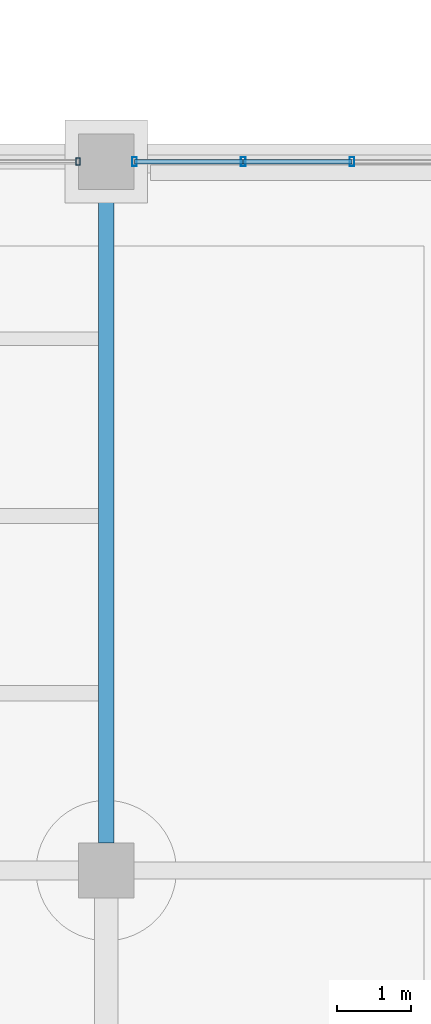
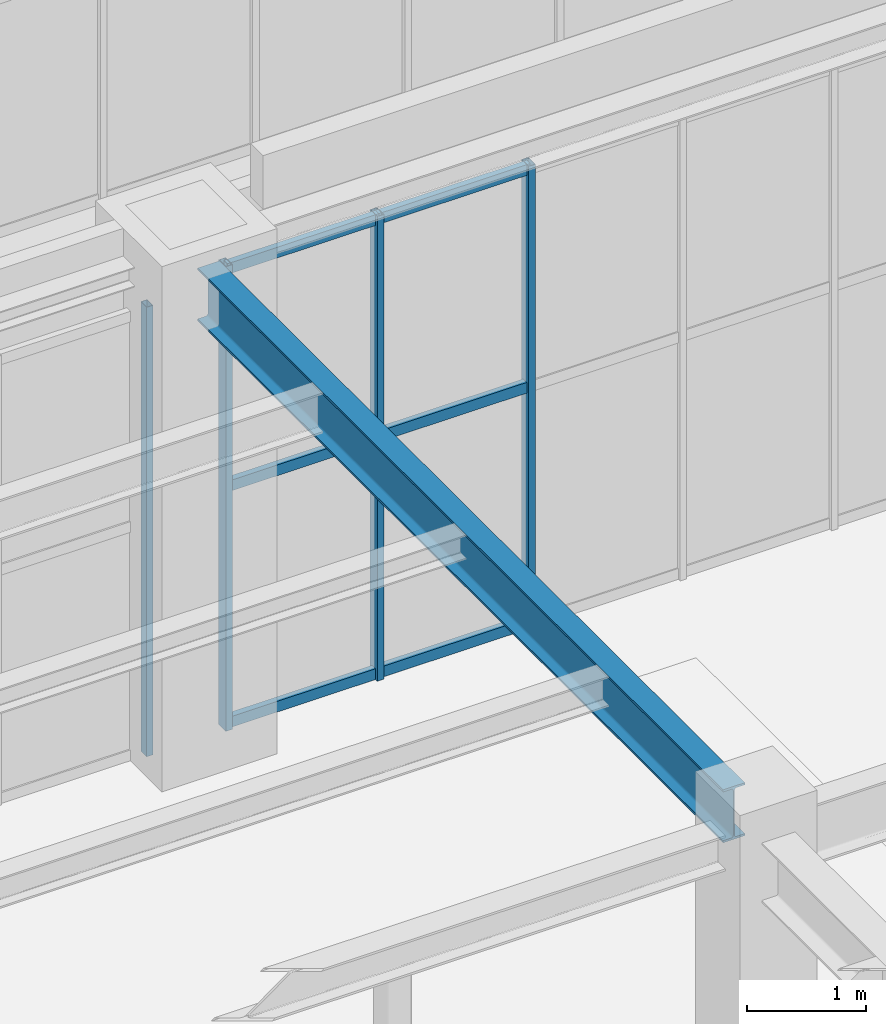
# One storey, part 93 of 164: 10 members, 1 beam, 2 elements without a shape of their own.
"""IFC4 building model written with IfcOpenShell, lengths in metres."""

from ifc_helpers import new_model, si_unit, direction, frame, origin, origin_2d, place, context, subcontext, project, spatial, hollow_rectangle, i_section, extrude, material, material_profile, profile_set, type_object, element, aggregate, save


model = new_model("IFC4")

# Units and contexts
model_context = context("Model", 3, precision=1e-05, world=origin(), true_north=direction((0.0, 1.0)))
body_context = subcontext(model_context, "Body", "Model", "MODEL_VIEW")
ifc_project = project(units=[si_unit("LENGTHUNIT", "METRE"), si_unit("AREAUNIT", "SQUARE_METRE"), si_unit("VOLUMEUNIT", "CUBIC_METRE"), si_unit("PLANEANGLEUNIT", "RADIAN"), si_unit("MASSUNIT", "GRAM", prefix="KILO")], contexts=[model_context])

# Site, building, storey
site_placement = place(None, origin())
site = spatial("IfcSite", under=ifc_project, at=site_placement, CompositionType="ELEMENT")
building_placement = place(site_placement, origin())
building = spatial("IfcBuilding", under=site, at=building_placement, Name="Mavantir Sound Aquarium", CompositionType="ELEMENT")
storey_placement = place(building_placement, origin())
storey = spatial("IfcBuildingStorey", under=building, at=storey_placement, Name="L00", CompositionType="ELEMENT", Elevation=0.0)

# Beam
ifc_material_1 = material(Name="Structural Steel ASTM A992 Gr50", Category="steel")
ifc_material_profile_1 = material_profile(ifc_material_1, i_section(OverallWidth=0.2119140625, OverallDepth=0.5439453125, WebThickness=0.01318359375, FlangeThickness=0.021240234375, FilletRadius=0.01806640625, at=origin_2d()), Name="W530X123")
ifc_profile_set_1 = profile_set([ifc_material_profile_1], Name="Structural Steel ASTM A992 Gr50")
beam_type = type_object("IfcBeamType", Name="BM-W530X123-I", PredefinedType="BEAM", material=ifc_profile_set_1)
beam_placement = place(storey_placement, frame((136.800048828125, 19.574951171875, 4.843994140625), z_axis=(0.0, 1.0, 0.0), x_axis=(-1.0, 0.0, 0.0)))
element("IfcBeam", 1, at=beam_placement, inside=storey, type_object=beam_type, Name="L00 primary girder SB-53 1097", PredefinedType="BEAM", context=body_context, shape_type="SweptSolid", body=[
    extrude(i_section(OverallWidth=0.2119140625, OverallDepth=0.5439453125, WebThickness=0.01318359375, FlangeThickness=0.021240234375, FilletRadius=0.01806640625, at=origin_2d()), origin(), (0.0, 0.0, 1.0), 8.85009765625),
])

# Curtain wall, member
ifc_material_2 = material(Name="Anodised Marine Aluminium and Low-E Glass", Category="aluminium")
curtain_wall_type_1 = type_object("IfcCurtainWallType", Name="CW-T03", PredefinedType="USERDEFINED", material=ifc_material_2)
curtain_wall_1_placement = place(storey_placement, origin())
curtain_wall_1 = element("IfcCurtainWall", 2, at=curtain_wall_1_placement, inside=storey, type_object=curtain_wall_type_1, Name="L00 unitised curtain wall CW-03 51", ObjectType="UNITISED GLAZING", PredefinedType="USERDEFINED")
ifc_material_3 = material(Name="Anodised Marine Aluminium 6063-T6", Category="aluminium")
ifc_material_profile_2 = material_profile(ifc_material_3, hollow_rectangle(XDim=0.06005859375, YDim=0.10009765625, WallThickness=0.00390625, at=origin_2d()), Name="ALU-MULLION-100X60")
ifc_profile_set_2 = profile_set([ifc_material_profile_2], Name="Anodised Marine Aluminium 6063-T6")
member_type_1 = type_object("IfcMemberType", Name="CW-MUL-100", PredefinedType="MULLION", material=ifc_profile_set_2)
member_1_placement = place(storey_placement, frame((136.4169921875, 28.800048828125, 0.0), z_axis=(0.0, 0.0, 1.0), x_axis=(1.0, 0.0, 0.0)))
member_1 = element("IfcMember", 3, at=member_1_placement, type_object=member_type_1, Name="CW-L00-051 vertical mullion 1", PredefinedType="MULLION", context=body_context, shape_type="SweptSolid", body=[
    extrude(hollow_rectangle(XDim=0.06005859375, YDim=0.10009765625, WallThickness=0.00390625, at=origin_2d()), origin(), (0.0, 0.0, 1.0), 4.62109375),
])
aggregate(curtain_wall_1, [member_1])

# Curtain wall, members
curtain_wall_type_2 = type_object("IfcCurtainWallType", Name="CW-T02", PredefinedType="USERDEFINED", material=ifc_material_2)
curtain_wall_2_placement = place(storey_placement, origin())
curtain_wall_2 = element("IfcCurtainWall", 4, at=curtain_wall_2_placement, inside=storey, type_object=curtain_wall_type_2, Name="L00 unitised curtain wall CW-02 50", ObjectType="UNITISED GLAZING", PredefinedType="USERDEFINED")
ifc_material_profile_3 = material_profile(ifc_material_3, hollow_rectangle(XDim=0.06494140625, YDim=0.1201171875, WallThickness=0.00390625, at=origin_2d()), Name="ALU-MULLION-120X65")
ifc_profile_set_3 = profile_set([ifc_material_profile_3], Name="Anodised Marine Aluminium 6063-T6")
member_type_2 = type_object("IfcMemberType", Name="CW-MUL-120", PredefinedType="MULLION", material=ifc_profile_set_3)
member_2_placement = place(storey_placement, frame((140.127685546875, 28.800048828125, 0.0), z_axis=(0.0, 0.0, 1.0), x_axis=(1.0, 0.0, 0.0)))
member_2 = element("IfcMember", 5, at=member_2_placement, type_object=member_type_2, Name="CW-L00-050 vertical mullion 5", PredefinedType="MULLION", context=body_context, shape_type="SweptSolid", body=[
    extrude(hollow_rectangle(XDim=0.06494140625, YDim=0.1201171875, WallThickness=0.00390625, at=origin_2d()), origin(), (0.0, 0.0, 1.0), 4.778076171875),
])
member_3_placement = place(storey_placement, frame((138.6552734375, 28.800048828125, 0.0), z_axis=(0.0, 0.0, 1.0), x_axis=(1.0, 0.0, 0.0)))
member_3 = element("IfcMember", 6, at=member_3_placement, type_object=member_type_2, Name="CW-L00-050 vertical mullion 6", PredefinedType="MULLION", context=body_context, shape_type="SweptSolid", body=[
    extrude(hollow_rectangle(XDim=0.06494140625, YDim=0.1201171875, WallThickness=0.00390625, at=origin_2d()), origin(), (0.0, 0.0, 1.0), 4.778076171875),
])
member_4_placement = place(storey_placement, frame((137.18310546875, 28.800048828125, 0.0), z_axis=(0.0, 0.0, 1.0), x_axis=(1.0, 0.0, 0.0)))
member_4 = element("IfcMember", 7, at=member_4_placement, type_object=member_type_2, Name="CW-L00-050 vertical mullion 7", PredefinedType="MULLION", context=body_context, shape_type="SweptSolid", body=[
    extrude(hollow_rectangle(XDim=0.06494140625, YDim=0.1201171875, WallThickness=0.00390625, at=origin_2d()), origin(), (0.0, 0.0, 1.0), 4.778076171875),
])
ifc_material_profile_4 = material_profile(ifc_material_3, hollow_rectangle(XDim=0.06005859375, YDim=0.110107421875, WallThickness=0.00390625, at=origin_2d()), Name="ALU-TRANSOM-110X60")
ifc_profile_set_4 = profile_set([ifc_material_profile_4], Name="Anodised Marine Aluminium 6063-T6")
member_type_3 = type_object("IfcMemberType", Name="CW-TRN-110", PredefinedType="USERDEFINED", material=ifc_profile_set_4)
member_5_placement = place(storey_placement, frame((140.127685546875, 28.800048828125, 0.054931640625), z_axis=(-1.0, 0.0, 0.0), x_axis=(0.0, -1.0, 0.0)))
member_5 = element("IfcMember", 8, at=member_5_placement, type_object=member_type_3, Name="CW-L00-050 transom 5.1", ObjectType="TRANSOM", PredefinedType="USERDEFINED", context=body_context, shape_type="SweptSolid", body=[
    extrude(hollow_rectangle(XDim=0.06005859375, YDim=0.110107421875, WallThickness=0.00390625, at=origin_2d()), origin(), (0.0, 0.0, 1.0), 1.472412109375),
])
member_6_placement = place(storey_placement, frame((140.127685546875, 28.800048828125, 2.484619140625), z_axis=(-1.0, 0.0, 0.0), x_axis=(0.0, -1.0, 0.0)))
member_6 = element("IfcMember", 9, at=member_6_placement, type_object=member_type_3, Name="CW-L00-050 transom 5.2", ObjectType="TRANSOM", PredefinedType="USERDEFINED", context=body_context, shape_type="SweptSolid", body=[
    extrude(hollow_rectangle(XDim=0.06005859375, YDim=0.110107421875, WallThickness=0.00390625, at=origin_2d()), origin(), (0.0, 0.0, 1.0), 1.472412109375),
])
member_7_placement = place(storey_placement, frame((140.127685546875, 28.800048828125, 4.722900390625), z_axis=(-1.0, 0.0, 0.0), x_axis=(0.0, -1.0, 0.0)))
member_7 = element("IfcMember", 10, at=member_7_placement, type_object=member_type_3, Name="CW-L00-050 transom 5.3", ObjectType="TRANSOM", PredefinedType="USERDEFINED", context=body_context, shape_type="SweptSolid", body=[
    extrude(hollow_rectangle(XDim=0.06005859375, YDim=0.110107421875, WallThickness=0.00390625, at=origin_2d()), origin(), (0.0, 0.0, 1.0), 1.472412109375),
])
member_8_placement = place(storey_placement, frame((138.6552734375, 28.800048828125, 0.054931640625), z_axis=(-1.0, 0.0, 0.0), x_axis=(0.0, -1.0, 0.0)))
member_8 = element("IfcMember", 11, at=member_8_placement, type_object=member_type_3, Name="CW-L00-050 transom 6.1", ObjectType="TRANSOM", PredefinedType="USERDEFINED", context=body_context, shape_type="SweptSolid", body=[
    extrude(hollow_rectangle(XDim=0.06005859375, YDim=0.110107421875, WallThickness=0.00390625, at=origin_2d()), origin(), (0.0, 0.0, 1.0), 1.47216796875),
])
member_9_placement = place(storey_placement, frame((138.6552734375, 28.800048828125, 2.484619140625), z_axis=(-1.0, 0.0, 0.0), x_axis=(0.0, -1.0, 0.0)))
member_9 = element("IfcMember", 12, at=member_9_placement, type_object=member_type_3, Name="CW-L00-050 transom 6.2", ObjectType="TRANSOM", PredefinedType="USERDEFINED", context=body_context, shape_type="SweptSolid", body=[
    extrude(hollow_rectangle(XDim=0.06005859375, YDim=0.110107421875, WallThickness=0.00390625, at=origin_2d()), origin(), (0.0, 0.0, 1.0), 1.47216796875),
])
member_10_placement = place(storey_placement, frame((138.6552734375, 28.800048828125, 4.722900390625), z_axis=(-1.0, 0.0, 0.0), x_axis=(0.0, -1.0, 0.0)))
member_10 = element("IfcMember", 13, at=member_10_placement, type_object=member_type_3, Name="CW-L00-050 transom 6.3", ObjectType="TRANSOM", PredefinedType="USERDEFINED", context=body_context, shape_type="SweptSolid", body=[
    extrude(hollow_rectangle(XDim=0.06005859375, YDim=0.110107421875, WallThickness=0.00390625, at=origin_2d()), origin(), (0.0, 0.0, 1.0), 1.47216796875),
])
aggregate(curtain_wall_2, [member_2, member_3, member_4, member_5, member_6, member_7, member_8, member_9, member_10])

save(model, "model.ifc")
